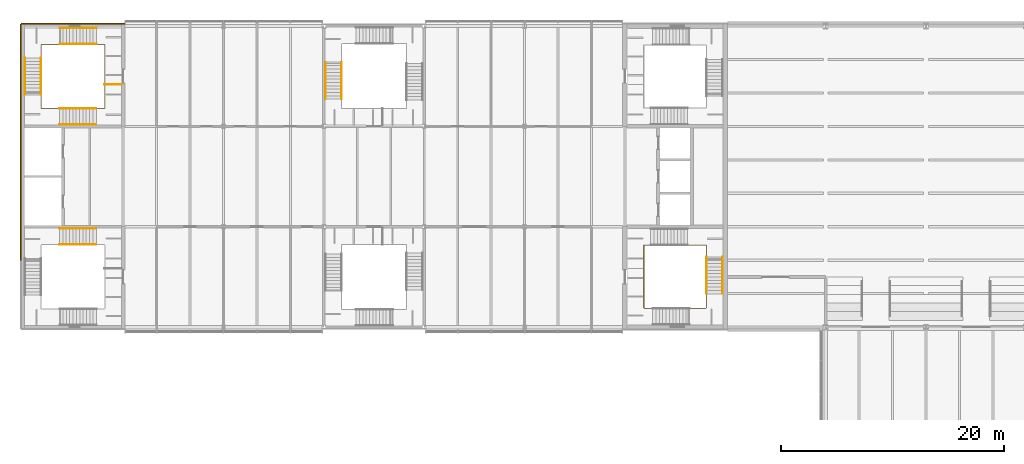
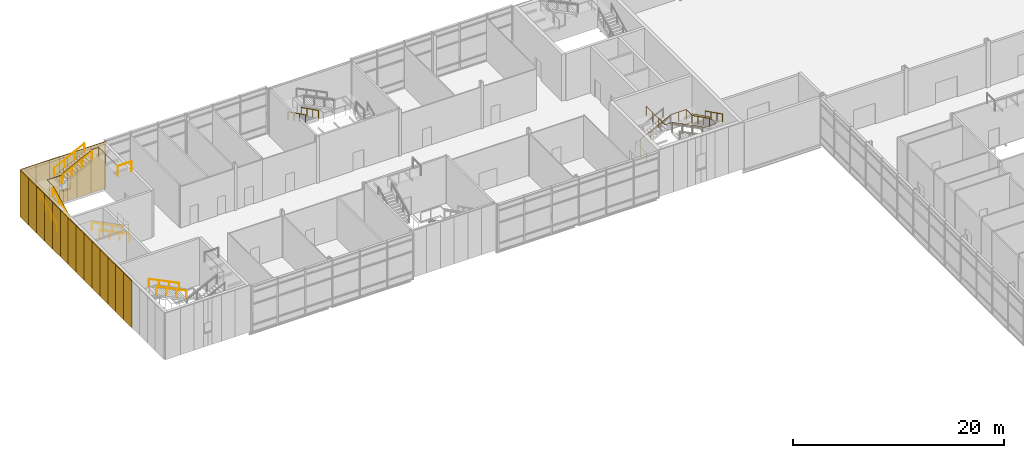
# One storey, part 47 of 52: 24 coverings, 15 railings.
"""IFC4 building model written with IfcOpenShell, lengths in metres."""

from ifc_helpers import new_model, si_unit, direction, frame, origin, origin_2d, place, context, subcontext, project, spatial, rectangle, circle, extrude, material, layer, layer_set, type_object, element, save


model = new_model("IFC4")

# Units and contexts
model_context = context("Model", 3, precision=1e-05, world=origin(), true_north=direction((0.0, 1.0)))
body_context = subcontext(model_context, "Body", "Model", "MODEL_VIEW")
ifc_project = project(units=[si_unit("LENGTHUNIT", "METRE"), si_unit("AREAUNIT", "SQUARE_METRE"), si_unit("VOLUMEUNIT", "CUBIC_METRE"), si_unit("PLANEANGLEUNIT", "RADIAN"), si_unit("MASSUNIT", "GRAM", prefix="KILO")], contexts=[model_context])

# Site, building, storey
site_placement = place(None, origin())
site = spatial("IfcSite", under=ifc_project, at=site_placement, CompositionType="ELEMENT")
building_placement = place(site_placement, origin())
building = spatial("IfcBuilding", under=site, at=building_placement, Name="Azimuth Sports and Learning Centre", CompositionType="ELEMENT")
storey_placement = place(building_placement, frame((0.0, 0.0, 16.199951171875)))
storey = spatial("IfcBuildingStorey", under=building, at=storey_placement, Name="L03", CompositionType="ELEMENT", Elevation=16.199951171875)

# Coverings
ifc_material_1 = material(Name="Cladding panel")
ifc_layer = layer(ifc_material_1, 0.10009765625)
ifc_layer_set = layer_set([ifc_layer], Name="Cladding panel")
covering_type = type_object("IfcCoveringType", Name="Cladding panel 100", PredefinedType="CLADDING", material=ifc_layer_set)
covering_1_placement = place(storey_placement, frame((8.324951171875, 117.199951171875, 0.0), z_axis=(0.0, 0.0, 1.0), x_axis=(-1.0, 0.0, 0.0)))
element("IfcCovering", 1, at=covering_1_placement, inside=storey, type_object=covering_type, Name="Cladding panel N-END W L03 1", PredefinedType="CLADDING", context=body_context, shape_type="SweptSolid", body=[
    extrude(rectangle(XDim=1.64990234375, YDim=0.10009765625, at=origin_2d()), origin(), (0.0, 0.0, 1.0), 5.39990234375),
])
covering_2_placement = place(storey_placement, frame((6.75, 117.199951171875, 0.0), z_axis=(0.0, 0.0, 1.0), x_axis=(-1.0, 0.0, 0.0)))
element("IfcCovering", 2, at=covering_2_placement, inside=storey, type_object=covering_type, Name="Cladding panel N-END W L03 2", PredefinedType="CLADDING", context=body_context, shape_type="SweptSolid", body=[
    extrude(rectangle(XDim=1.5, YDim=0.10009765625, at=origin_2d()), origin(), (0.0, 0.0, 1.0), 5.39990234375),
])
covering_3_placement = place(storey_placement, frame((5.47509765625, 117.199951171875, 0.0), z_axis=(0.0, 0.0, 1.0), x_axis=(-1.0, 0.0, 0.0)))
element("IfcCovering", 3, at=covering_3_placement, inside=storey, type_object=covering_type, Name="Cladding panel N-END W L03 3", PredefinedType="CLADDING", context=body_context, shape_type="SweptSolid", body=[
    extrude(rectangle(XDim=1.050048828125, YDim=0.10009765625, at=origin_2d()), origin(), (0.0, 0.0, 1.0), 5.39990234375),
])
covering_4_placement = place(storey_placement, frame((4.72509765625, 117.199951171875, 0.0), z_axis=(0.0, 0.0, 1.0), x_axis=(-1.0, 0.0, 0.0)))
element("IfcCovering", 4, at=covering_4_placement, inside=storey, type_object=covering_type, Name="Cladding panel N-END W L03 4", PredefinedType="CLADDING", context=body_context, shape_type="SweptSolid", body=[
    extrude(rectangle(XDim=0.449951171875, YDim=0.10009765625, at=origin_2d()), origin(), (0.0, 0.0, 1.0), 1.5),
])
covering_5_placement = place(storey_placement, frame((4.72509765625, 117.199951171875, 2.7001953125), z_axis=(0.0, 0.0, 1.0), x_axis=(-1.0, 0.0, 0.0)))
element("IfcCovering", 5, at=covering_5_placement, inside=storey, type_object=covering_type, Name="Cladding panel N-END W L03 5", PredefinedType="CLADDING", context=body_context, shape_type="SweptSolid", body=[
    extrude(rectangle(XDim=0.449951171875, YDim=0.10009765625, at=origin_2d()), origin(), (0.0, 0.0, 1.0), 2.699951171875),
])
covering_6_placement = place(storey_placement, frame((3.52490234375, 117.199951171875, 0.0), z_axis=(0.0, 0.0, 1.0), x_axis=(-1.0, 0.0, 0.0)))
element("IfcCovering", 6, at=covering_6_placement, inside=storey, type_object=covering_type, Name="Cladding panel N-END W L03 6", PredefinedType="CLADDING", context=body_context, shape_type="SweptSolid", body=[
    extrude(rectangle(XDim=1.050048828125, YDim=0.10009765625, at=origin_2d()), origin(), (0.0, 0.0, 1.0), 5.39990234375),
])
covering_7_placement = place(storey_placement, frame((4.27490234375, 117.199951171875, 0.0), z_axis=(0.0, 0.0, 1.0), x_axis=(-1.0, 0.0, 0.0)))
element("IfcCovering", 7, at=covering_7_placement, inside=storey, type_object=covering_type, Name="Cladding panel N-END W L03 7", PredefinedType="CLADDING", context=body_context, shape_type="SweptSolid", body=[
    extrude(rectangle(XDim=0.449951171875, YDim=0.10009765625, at=origin_2d()), origin(), (0.0, 0.0, 1.0), 1.5),
])
covering_8_placement = place(storey_placement, frame((4.27490234375, 117.199951171875, 2.7001953125), z_axis=(0.0, 0.0, 1.0), x_axis=(-1.0, 0.0, 0.0)))
element("IfcCovering", 8, at=covering_8_placement, inside=storey, type_object=covering_type, Name="Cladding panel N-END W L03 8", PredefinedType="CLADDING", context=body_context, shape_type="SweptSolid", body=[
    extrude(rectangle(XDim=0.449951171875, YDim=0.10009765625, at=origin_2d()), origin(), (0.0, 0.0, 1.0), 2.699951171875),
])
covering_9_placement = place(storey_placement, frame((2.25, 117.199951171875, 0.0), z_axis=(0.0, 0.0, 1.0), x_axis=(-1.0, 0.0, 0.0)))
element("IfcCovering", 9, at=covering_9_placement, inside=storey, type_object=covering_type, Name="Cladding panel N-END W L03 9", PredefinedType="CLADDING", context=body_context, shape_type="SweptSolid", body=[
    extrude(rectangle(XDim=1.5, YDim=0.10009765625, at=origin_2d()), origin(), (0.0, 0.0, 1.0), 5.39990234375),
])
for number, where, z_axis, x_axis, name in (
    (10, (0.675048828125, 117.199951171875, 0.0), (0.0, 0.0, 1.0), (-1.0, 0.0, 0.0), "Cladding panel N-END W L03 10"),
    (11, (-0.199951171875, 116.324951171875, 0.0), (0.0, 0.0, 1.0), (0.0, -1.0, 0.0), "Cladding panel W-END W L03 1"),
):
    element("IfcCovering", number, at=place(storey_placement, frame(where, z_axis=z_axis, x_axis=x_axis)), inside=storey, type_object=covering_type, Name=name, PredefinedType="CLADDING", context=body_context, shape_type="SweptSolid", body=[
        extrude(rectangle(XDim=1.64990234375, YDim=0.10009765625, at=origin_2d()), origin(), (0.0, 0.0, 1.0), 5.39990234375),
    ])
for number, where, z_axis, x_axis, name in (
    (12, (-0.199951171875, 114.75, 0.0), (0.0, 0.0, 1.0), (0.0, -1.0, 0.0), "Cladding panel W-END W L03 2"),
    (13, (-0.199951171875, 113.25, 0.0), (0.0, 0.0, 1.0), (0.0, -1.0, 0.0), "Cladding panel W-END W L03 3"),
    (14, (-0.199951171875, 111.75, 0.0), (0.0, 0.0, 1.0), (0.0, -1.0, 0.0), "Cladding panel W-END W L03 4"),
    (15, (-0.199951171875, 110.25, 0.0), (0.0, 0.0, 1.0), (0.0, -1.0, 0.0), "Cladding panel W-END W L03 5"),
    (16, (-0.199951171875, 108.75, 0.0), (0.0, 0.0, 1.0), (0.0, -1.0, 0.0), "Cladding panel W-END W L03 6"),
    (17, (-0.199951171875, 107.25, 0.0), (0.0, 0.0, 1.0), (0.0, -1.0, 0.0), "Cladding panel W-END W L03 7"),
    (18, (-0.199951171875, 105.75, 0.0), (0.0, 0.0, 1.0), (0.0, -1.0, 0.0), "Cladding panel W-END W L03 8"),
    (19, (-0.199951171875, 104.25, 0.0), (0.0, 0.0, 1.0), (0.0, -1.0, 0.0), "Cladding panel W-END W L03 9"),
    (20, (-0.199951171875, 102.75, 0.0), (0.0, 0.0, 1.0), (0.0, -1.0, 0.0), "Cladding panel W-END W L03 10"),
    (21, (-0.199951171875, 101.25, 0.0), (0.0, 0.0, 1.0), (0.0, -1.0, 0.0), "Cladding panel W-END W L03 11"),
    (22, (-0.199951171875, 99.75, 0.0), (0.0, 0.0, 1.0), (0.0, -1.0, 0.0), "Cladding panel W-END W L03 12"),
    (23, (-0.199951171875, 98.25, 0.0), (0.0, 0.0, 1.0), (0.0, -1.0, 0.0), "Cladding panel W-END W L03 13"),
    (24, (-0.199951171875, 96.75, 0.0), (0.0, 0.0, 1.0), (0.0, -1.0, 0.0), "Cladding panel W-END W L03 14"),
):
    element("IfcCovering", number, at=place(storey_placement, frame(where, z_axis=z_axis, x_axis=x_axis)), inside=storey, type_object=covering_type, Name=name, PredefinedType="CLADDING", context=body_context, shape_type="SweptSolid", body=[
        extrude(rectangle(XDim=1.5, YDim=0.10009765625, at=origin_2d()), origin(), (0.0, 0.0, 1.0), 5.39990234375),
    ])

# Railings
ifc_material_2 = material(Name="Stainless steel", Category="steel")
railing_type_1 = type_object("IfcRailingType", Name="Stair guard 1100", PredefinedType="GUARDRAIL", material=ifc_material_2)
railing_1_placement = place(storey_placement, frame((55.7099609375, 95.25, 0.0)))
element("IfcRailing", 25, at=railing_1_placement, inside=storey, type_object=railing_type_1, Name="Guard W1 L03 well", PredefinedType="GUARDRAIL", context=body_context, shape_type="SweptSolid", body=[
    extrude(circle(Radius=0.02392578125, at=origin_2d()), frame((0.0, 0.0, 1.076171875), z_axis=(0.0, 1.0, 0.0), x_axis=(-1.0, 0.0, 0.0)), (0.0, 0.0, 1.0), 2.090087890625),
    extrude(circle(Radius=0.02392578125, at=origin_2d()), frame((0.0, 2.090087890625, 1.076171875), z_axis=(1.0, 0.0, 0.0), x_axis=(0.0, 1.0, 0.0)), (0.0, 0.0, 1.0), 0.60009765625),
    extrude(circle(Radius=0.02392578125, at=origin_2d()), frame((0.60009765625, 2.090087890625, 1.076171875), z_axis=(0.0, 0.0, 1.0), x_axis=(1.0, 0.0, 0.0)), (0.0, 0.0, 1.0), 0.150146484375),
    extrude(circle(Radius=0.02392578125, at=origin_2d()), frame((0.60009765625, 2.090087890625, 1.22607421875), z_axis=(0.894440424912, 0.0, 0.447187126696), x_axis=(0.0, 1.0, 0.0)), (0.0, 0.0, 1.0), 3.689453125),
    extrude(circle(Radius=0.02392578125, at=origin_2d()), frame((3.900146484375, 2.090087890625, 2.8759765625), z_axis=(1.0, 0.0, 0.0), x_axis=(0.0, 1.0, 0.0)), (0.0, 0.0, 1.0), 1.679931640625),
    extrude(circle(Radius=0.02392578125, at=origin_2d()), frame((5.580078125, 2.090087890625, 2.8759765625), z_axis=(0.0, -1.0, 0.0), x_axis=(1.0, 0.0, 0.0)), (0.0, 0.0, 1.0), 1.050048828125),
    extrude(circle(Radius=0.02392578125, at=origin_2d()), frame((5.580078125, 1.0400390625, 2.8759765625), z_axis=(0.0, 0.0, 1.0), x_axis=(1.0, 0.0, 0.0)), (0.0, 0.0, 1.0), 0.14990234375),
    extrude(circle(Radius=0.02392578125, at=origin_2d()), frame((5.580078125, 1.0400390625, 3.02587890625), z_axis=(0.0, -0.894413956696, 0.447240063129), x_axis=(1.0, 0.0, 0.0)), (0.0, 0.0, 1.0), 3.689697265625),
    extrude(circle(Radius=0.02392578125, at=origin_2d()), frame((5.580078125, -2.260009765625, 4.67626953125), z_axis=(0.0, -1.0, 0.0), x_axis=(1.0, 0.0, 0.0)), (0.0, 0.0, 1.0), 1.280029296875),
    extrude(circle(Radius=0.02392578125, at=origin_2d()), frame((5.580078125, -3.5400390625, 4.67626953125), z_axis=(-1.0, 0.0, 0.0), x_axis=(0.0, -1.0, 0.0)), (0.0, 0.0, 1.0), 1.5),
    extrude(circle(Radius=0.02392578125, at=origin_2d()), frame((4.080078125, -3.5400390625, 4.67626953125), z_axis=(0.0, 0.0, 1.0), x_axis=(1.0, 0.0, 0.0)), (0.0, 0.0, 1.0), 0.14990234375),
    extrude(circle(Radius=0.02392578125, at=origin_2d()), frame((4.080078125, -3.5400390625, 4.826171875), z_axis=(-0.894413956696, 0.0, 0.447240063129), x_axis=(0.0, -1.0, 0.0)), (0.0, 0.0, 1.0), 3.689697265625),
    extrude(circle(Radius=0.02392578125, at=origin_2d()), frame((0.780029296875, -3.5400390625, 6.47607421875), z_axis=(-1.0, 0.0, 0.0), x_axis=(0.0, -1.0, 0.0)), (0.0, 0.0, 1.0), 0.780029296875),
    extrude(circle(Radius=0.02392578125, at=origin_2d()), frame((0.0, -3.5400390625, 6.47607421875), z_axis=(0.0, 1.0, 0.0), x_axis=(-1.0, 0.0, 0.0)), (0.0, 0.0, 1.0), 3.5400390625),
    extrude(circle(Radius=0.01611328125, at=origin_2d()), origin(), (0.0, 0.0, 1.0), 1.052001953125),
    extrude(circle(Radius=0.01611328125, at=origin_2d()), frame((0.0, 1.044921875, 0.0)), (0.0, 0.0, 1.0), 1.052001953125),
    extrude(circle(Radius=0.01611328125, at=origin_2d()), frame((0.0, 2.090087890625, 0.0)), (0.0, 0.0, 1.0), 1.052001953125),
    extrude(circle(Radius=0.01611328125, at=origin_2d()), frame((0.60009765625, 2.090087890625, 0.0)), (0.0, 0.0, 1.0), 1.052001953125),
    extrude(circle(Radius=0.01611328125, at=origin_2d()), frame((0.60009765625, 2.090087890625, 0.150146484375)), (0.0, 0.0, 1.0), 1.052001953125),
    extrude(circle(Radius=0.01611328125, at=origin_2d()), frame((1.7001953125, 2.090087890625, 0.7001953125)), (0.0, 0.0, 1.0), 1.052001953125),
    extrude(circle(Radius=0.01611328125, at=origin_2d()), frame((2.800048828125, 2.090087890625, 1.25)), (0.0, 0.0, 1.0), 1.052001953125),
    extrude(circle(Radius=0.01611328125, at=origin_2d()), frame((3.900146484375, 2.090087890625, 1.800048828125)), (0.0, 0.0, 1.0), 1.052001953125),
    extrude(circle(Radius=0.01611328125, at=origin_2d()), frame((4.740234375, 2.090087890625, 1.800048828125)), (0.0, 0.0, 1.0), 1.052001953125),
    extrude(circle(Radius=0.01611328125, at=origin_2d()), frame((5.580078125, 2.090087890625, 1.800048828125)), (0.0, 0.0, 1.0), 1.052001953125),
    extrude(circle(Radius=0.01611328125, at=origin_2d()), frame((5.580078125, 1.0400390625, 1.800048828125)), (0.0, 0.0, 1.0), 1.052001953125),
    extrude(circle(Radius=0.01611328125, at=origin_2d()), frame((5.580078125, 1.0400390625, 1.949951171875)), (0.0, 0.0, 1.0), 1.052001953125),
    extrude(circle(Radius=0.01611328125, at=origin_2d()), frame((5.580078125, -0.06005859375, 2.5)), (0.0, 0.0, 1.0), 1.052001953125),
    extrude(circle(Radius=0.01611328125, at=origin_2d()), frame((5.580078125, -1.159912109375, 3.050048828125)), (0.0, 0.0, 1.0), 1.052001953125),
    extrude(circle(Radius=0.01611328125, at=origin_2d()), frame((5.580078125, -2.260009765625, 3.60009765625)), (0.0, 0.0, 1.0), 1.052001953125),
    extrude(circle(Radius=0.01611328125, at=origin_2d()), frame((5.580078125, -3.5400390625, 3.60009765625)), (0.0, 0.0, 1.0), 1.052001953125),
    extrude(circle(Radius=0.01611328125, at=origin_2d()), frame((4.080078125, -3.5400390625, 3.60009765625)), (0.0, 0.0, 1.0), 1.052001953125),
    extrude(circle(Radius=0.01611328125, at=origin_2d()), frame((4.080078125, -3.5400390625, 3.75)), (0.0, 0.0, 1.0), 1.052001953125),
    extrude(circle(Radius=0.01611328125, at=origin_2d()), frame((2.97998046875, -3.5400390625, 4.300048828125)), (0.0, 0.0, 1.0), 1.052001953125),
    extrude(circle(Radius=0.01611328125, at=origin_2d()), frame((1.880126953125, -3.5400390625, 4.85009765625)), (0.0, 0.0, 1.0), 1.052001953125),
    extrude(circle(Radius=0.01611328125, at=origin_2d()), frame((0.780029296875, -3.5400390625, 5.400146484375)), (0.0, 0.0, 1.0), 1.052001953125),
    extrude(circle(Radius=0.01611328125, at=origin_2d()), frame((0.0, -3.5400390625, 5.400146484375)), (0.0, 0.0, 1.0), 1.052001953125),
    extrude(circle(Radius=0.01611328125, at=origin_2d()), frame((0.0, -2.360107421875, 5.400146484375)), (0.0, 0.0, 1.0), 1.052001953125),
    extrude(circle(Radius=0.01611328125, at=origin_2d()), frame((0.0, -1.179931640625, 5.400146484375)), (0.0, 0.0, 1.0), 1.052001953125),
    extrude(circle(Radius=0.01611328125, at=origin_2d()), frame((0.0, 0.0, 5.400146484375)), (0.0, 0.0, 1.0), 1.052001953125),
])
railing_2_placement = place(storey_placement, frame((7.340087890625, 111.75, 0.0)))
element("IfcRailing", 26, at=railing_2_placement, inside=storey, type_object=railing_type_1, Name="Guard WW2 L03 well", PredefinedType="GUARDRAIL", context=body_context, shape_type="SweptSolid", body=[
    extrude(circle(Radius=0.02392578125, at=origin_2d()), frame((0.0, 0.0, 1.076171875), z_axis=(0.0, -1.0, 0.0), x_axis=(1.0, 0.0, 0.0)), (0.0, 0.0, 1.0), 2.114990234375),
    extrude(circle(Radius=0.02392578125, at=origin_2d()), frame((0.0, -2.114990234375, 1.076171875), z_axis=(-1.0, 0.0, 0.0), x_axis=(0.0, -1.0, 0.0)), (0.0, 0.0, 1.0), 0.75),
    extrude(circle(Radius=0.02392578125, at=origin_2d()), frame((-0.75, -2.114990234375, 1.076171875), z_axis=(0.0, 0.0, 1.0), x_axis=(1.0, 0.0, 0.0)), (0.0, 0.0, 1.0), 0.150146484375),
    extrude(circle(Radius=0.02392578125, at=origin_2d()), frame((-0.75, -2.114990234375, 1.22607421875), z_axis=(-0.894440424912, 0.0, 0.447187126696), x_axis=(0.0, -1.0, 0.0)), (0.0, 0.0, 1.0), 3.689453125),
    extrude(circle(Radius=0.02392578125, at=origin_2d()), frame((-4.050048828125, -2.114990234375, 2.8759765625), z_axis=(-1.0, 0.0, 0.0), x_axis=(0.0, -1.0, 0.0)), (0.0, 0.0, 1.0), 1.630126953125),
    extrude(circle(Radius=0.02392578125, at=origin_2d()), frame((-5.68017578125, -2.114990234375, 2.8759765625), z_axis=(0.0, 1.0, 0.0), x_axis=(-1.0, 0.0, 0.0)), (0.0, 0.0, 1.0), 1.199951171875),
    extrude(circle(Radius=0.02392578125, at=origin_2d()), frame((-5.68017578125, -0.9150390625, 2.8759765625), z_axis=(0.0, 0.0, 1.0), x_axis=(1.0, 0.0, 0.0)), (0.0, 0.0, 1.0), 0.14990234375),
    extrude(circle(Radius=0.02392578125, at=origin_2d()), frame((-5.68017578125, -0.9150390625, 3.02587890625), z_axis=(0.0, 0.894413956696, 0.447240063129), x_axis=(-1.0, 0.0, 0.0)), (0.0, 0.0, 1.0), 3.689697265625),
    extrude(circle(Radius=0.02392578125, at=origin_2d()), frame((-5.68017578125, 2.385009765625, 4.67626953125), z_axis=(0.0, 1.0, 0.0), x_axis=(-1.0, 0.0, 0.0)), (0.0, 0.0, 1.0), 1.205078125),
    extrude(circle(Radius=0.02392578125, at=origin_2d()), frame((-5.68017578125, 3.590087890625, 4.67626953125), z_axis=(1.0, 0.0, 0.0), x_axis=(0.0, 1.0, 0.0)), (0.0, 0.0, 1.0), 1.650146484375),
    extrude(circle(Radius=0.02392578125, at=origin_2d()), frame((-4.030029296875, 3.590087890625, 4.67626953125), z_axis=(0.0, 0.0, 1.0), x_axis=(1.0, 0.0, 0.0)), (0.0, 0.0, 1.0), 0.14990234375),
    extrude(circle(Radius=0.02392578125, at=origin_2d()), frame((-4.030029296875, 3.590087890625, 4.826171875), z_axis=(0.894413956696, 0.0, 0.447240063129), x_axis=(0.0, 1.0, 0.0)), (0.0, 0.0, 1.0), 3.689697265625),
    extrude(circle(Radius=0.02392578125, at=origin_2d()), frame((-0.72998046875, 3.590087890625, 6.47607421875), z_axis=(1.0, 0.0, 0.0), x_axis=(0.0, 1.0, 0.0)), (0.0, 0.0, 1.0), 0.72998046875),
    extrude(circle(Radius=0.02392578125, at=origin_2d()), frame((0.0, 3.590087890625, 6.47607421875), z_axis=(0.0, -1.0, 0.0), x_axis=(1.0, 0.0, 0.0)), (0.0, 0.0, 1.0), 3.590087890625),
    extrude(circle(Radius=0.01611328125, at=origin_2d()), origin(), (0.0, 0.0, 1.0), 1.052001953125),
    extrude(circle(Radius=0.01611328125, at=origin_2d()), frame((0.0, -1.0576171875, 0.0)), (0.0, 0.0, 1.0), 1.052001953125),
    extrude(circle(Radius=0.01611328125, at=origin_2d()), frame((0.0, -2.114990234375, 0.0)), (0.0, 0.0, 1.0), 1.052001953125),
    extrude(circle(Radius=0.01611328125, at=origin_2d()), frame((-0.75, -2.114990234375, 0.0)), (0.0, 0.0, 1.0), 1.052001953125),
    extrude(circle(Radius=0.01611328125, at=origin_2d()), frame((-0.75, -2.114990234375, 0.150146484375)), (0.0, 0.0, 1.0), 1.052001953125),
    extrude(circle(Radius=0.01611328125, at=origin_2d()), frame((-1.85009765625, -2.114990234375, 0.7001953125)), (0.0, 0.0, 1.0), 1.052001953125),
    extrude(circle(Radius=0.01611328125, at=origin_2d()), frame((-2.949951171875, -2.114990234375, 1.25)), (0.0, 0.0, 1.0), 1.052001953125),
    extrude(circle(Radius=0.01611328125, at=origin_2d()), frame((-4.050048828125, -2.114990234375, 1.800048828125)), (0.0, 0.0, 1.0), 1.052001953125),
    extrude(circle(Radius=0.01611328125, at=origin_2d()), frame((-4.865234375, -2.114990234375, 1.800048828125)), (0.0, 0.0, 1.0), 1.052001953125),
    extrude(circle(Radius=0.01611328125, at=origin_2d()), frame((-5.68017578125, -2.114990234375, 1.800048828125)), (0.0, 0.0, 1.0), 1.052001953125),
    extrude(circle(Radius=0.01611328125, at=origin_2d()), frame((-5.68017578125, -0.9150390625, 1.800048828125)), (0.0, 0.0, 1.0), 1.052001953125),
    extrude(circle(Radius=0.01611328125, at=origin_2d()), frame((-5.68017578125, -0.9150390625, 1.949951171875)), (0.0, 0.0, 1.0), 1.052001953125),
    extrude(circle(Radius=0.01611328125, at=origin_2d()), frame((-5.68017578125, 0.18505859375, 2.5)), (0.0, 0.0, 1.0), 1.052001953125),
    extrude(circle(Radius=0.01611328125, at=origin_2d()), frame((-5.68017578125, 1.284912109375, 3.050048828125)), (0.0, 0.0, 1.0), 1.052001953125),
    extrude(circle(Radius=0.01611328125, at=origin_2d()), frame((-5.68017578125, 2.385009765625, 3.60009765625)), (0.0, 0.0, 1.0), 1.052001953125),
    extrude(circle(Radius=0.01611328125, at=origin_2d()), frame((-5.68017578125, 3.590087890625, 3.60009765625)), (0.0, 0.0, 1.0), 1.052001953125),
    extrude(circle(Radius=0.01611328125, at=origin_2d()), frame((-4.85498046875, 3.590087890625, 3.60009765625)), (0.0, 0.0, 1.0), 1.052001953125),
    extrude(circle(Radius=0.01611328125, at=origin_2d()), frame((-4.030029296875, 3.590087890625, 3.60009765625)), (0.0, 0.0, 1.0), 1.052001953125),
    extrude(circle(Radius=0.01611328125, at=origin_2d()), frame((-4.030029296875, 3.590087890625, 3.75)), (0.0, 0.0, 1.0), 1.052001953125),
    extrude(circle(Radius=0.01611328125, at=origin_2d()), frame((-2.929931640625, 3.590087890625, 4.300048828125)), (0.0, 0.0, 1.0), 1.052001953125),
    extrude(circle(Radius=0.01611328125, at=origin_2d()), frame((-1.830078125, 3.590087890625, 4.85009765625)), (0.0, 0.0, 1.0), 1.052001953125),
    extrude(circle(Radius=0.01611328125, at=origin_2d()), frame((-0.72998046875, 3.590087890625, 5.400146484375)), (0.0, 0.0, 1.0), 1.052001953125),
    extrude(circle(Radius=0.01611328125, at=origin_2d()), frame((0.0, 3.590087890625, 5.400146484375)), (0.0, 0.0, 1.0), 1.052001953125),
    extrude(circle(Radius=0.01611328125, at=origin_2d()), frame((0.0, 2.393310546875, 5.400146484375)), (0.0, 0.0, 1.0), 1.052001953125),
    extrude(circle(Radius=0.01611328125, at=origin_2d()), frame((0.0, 1.19677734375, 5.400146484375)), (0.0, 0.0, 1.0), 1.052001953125),
    extrude(circle(Radius=0.01611328125, at=origin_2d()), frame((0.0, 0.0, 5.400146484375)), (0.0, 0.0, 1.0), 1.052001953125),
])
railing_3_placement = place(storey_placement, frame((8.840087890625, 111.75, 5.400146484375)))
element("IfcRailing", 27, at=railing_3_placement, inside=storey, type_object=railing_type_1, Name="Guard WW2 L03 top landing end", PredefinedType="GUARDRAIL", context=body_context, shape_type="SweptSolid", body=[
    extrude(circle(Radius=0.02392578125, at=origin_2d()), frame((0.0, 0.0, 1.076171875), z_axis=(-1.0, 0.0, 0.0), x_axis=(0.0, -1.0, 0.0)), (0.0, 0.0, 1.0), 1.5),
    extrude(circle(Radius=0.01611328125, at=origin_2d()), origin(), (0.0, 0.0, 1.0), 1.052001953125),
    extrude(circle(Radius=0.01611328125, at=origin_2d()), frame((-1.5, 0.0, 0.0)), (0.0, 0.0, 1.0), 1.052001953125),
])
ifc_material_3 = material(Name="Stainless steel", Category="steel")
railing_type_2 = type_object("IfcRailingType", Name="Stair handrail 42", PredefinedType="HANDRAIL", material=ifc_material_3)
for number, where, name in (
    (28, (61.320068359375, 96.2900390625, 1.949951171875), "Handrail W1 L03 flight 2 inner"),
    (29, (62.760009765625, 96.2900390625, 1.949951171875), "Handrail W1 L03 flight 2 outer"),
):
    element("IfcRailing", number, at=place(storey_placement, frame(where)), inside=storey, type_object=railing_type_2, Name=name, PredefinedType="HANDRAIL", context=body_context, shape_type="SweptSolid", body=[
        extrude(circle(Radius=0.02099609375, at=origin_2d()), frame((0.0, 0.0, 0.87890625), z_axis=(0.0, -0.894413956696, 0.447240063129), x_axis=(1.0, 0.0, 0.0)), (0.0, 0.0, 1.0), 3.689697265625),
        extrude(circle(Radius=0.01611328125, at=origin_2d()), origin(), (0.0, 0.0, 1.0), 0.85791015625),
        extrude(circle(Radius=0.01611328125, at=origin_2d()), frame((0.0, -1.10009765625, 0.550048828125)), (0.0, 0.0, 1.0), 0.85791015625),
        extrude(circle(Radius=0.01611328125, at=origin_2d()), frame((0.0, -2.199951171875, 1.10009765625)), (0.0, 0.0, 1.0), 0.85791015625),
        extrude(circle(Radius=0.01611328125, at=origin_2d()), frame((0.0, -3.300048828125, 1.650146484375)), (0.0, 0.0, 1.0), 0.85791015625),
    ])
for number, where, name in (
    (30, (6.590087890625, 97.39501953125, 0.150146484375), "Handrail WW1 L03 flight 1 inner"),
    (31, (6.590087890625, 98.8349609375, 0.150146484375), "Handrail WW1 L03 flight 1 outer"),
    (32, (6.590087890625, 109.60498046875, 0.150146484375), "Handrail WW2 L03 flight 1 inner"),
    (33, (6.590087890625, 108.1650390625, 0.150146484375), "Handrail WW2 L03 flight 1 outer"),
):
    element("IfcRailing", number, at=place(storey_placement, frame(where)), inside=storey, type_object=railing_type_2, Name=name, PredefinedType="HANDRAIL", context=body_context, shape_type="SweptSolid", body=[
        extrude(circle(Radius=0.02099609375, at=origin_2d()), frame((0.0, 0.0, 0.87890625), z_axis=(-0.894440424912, 0.0, 0.447187126696), x_axis=(0.0, -1.0, 0.0)), (0.0, 0.0, 1.0), 3.689453125),
        extrude(circle(Radius=0.01611328125, at=origin_2d()), origin(), (0.0, 0.0, 1.0), 0.85791015625),
        extrude(circle(Radius=0.01611328125, at=origin_2d()), frame((-1.10009765625, 0.0, 0.550048828125)), (0.0, 0.0, 1.0), 0.85791015625),
        extrude(circle(Radius=0.01611328125, at=origin_2d()), frame((-2.199951171875, 0.0, 1.099853515625)), (0.0, 0.0, 1.0), 0.85791015625),
        extrude(circle(Radius=0.01611328125, at=origin_2d()), frame((-3.300048828125, 0.0, 1.64990234375)), (0.0, 0.0, 1.0), 0.85791015625),
    ])
for number, where, name in (
    (34, (1.6298828125, 110.8349609375, 1.949951171875), "Handrail WW2 L03 flight 2 inner"),
    (35, (0.18994140625, 110.8349609375, 1.949951171875), "Handrail WW2 L03 flight 2 outer"),
):
    element("IfcRailing", number, at=place(storey_placement, frame(where)), inside=storey, type_object=railing_type_2, Name=name, PredefinedType="HANDRAIL", context=body_context, shape_type="SweptSolid", body=[
        extrude(circle(Radius=0.02099609375, at=origin_2d()), frame((0.0, 0.0, 0.87890625), z_axis=(0.0, 0.894413956696, 0.447240063129), x_axis=(-1.0, 0.0, 0.0)), (0.0, 0.0, 1.0), 3.689697265625),
        extrude(circle(Radius=0.01611328125, at=origin_2d()), origin(), (0.0, 0.0, 1.0), 0.85791015625),
        extrude(circle(Radius=0.01611328125, at=origin_2d()), frame((0.0, 1.10009765625, 0.550048828125)), (0.0, 0.0, 1.0), 0.85791015625),
        extrude(circle(Radius=0.01611328125, at=origin_2d()), frame((0.0, 2.199951171875, 1.10009765625)), (0.0, 0.0, 1.0), 0.85791015625),
        extrude(circle(Radius=0.01611328125, at=origin_2d()), frame((0.0, 3.300048828125, 1.650146484375)), (0.0, 0.0, 1.0), 0.85791015625),
    ])
for number, where, name in (
    (36, (3.31005859375, 115.3701171875, 3.75), "Handrail WW2 L03 flight 3 inner"),
    (37, (3.31005859375, 116.81005859375, 3.75), "Handrail WW2 L03 flight 3 outer"),
):
    element("IfcRailing", number, at=place(storey_placement, frame(where)), inside=storey, type_object=railing_type_2, Name=name, PredefinedType="HANDRAIL", context=body_context, shape_type="SweptSolid", body=[
        extrude(circle(Radius=0.02099609375, at=origin_2d()), frame((0.0, 0.0, 0.87890625), z_axis=(0.894413956696, 0.0, 0.447240063129), x_axis=(0.0, 1.0, 0.0)), (0.0, 0.0, 1.0), 3.689697265625),
        extrude(circle(Radius=0.01611328125, at=origin_2d()), origin(), (0.0, 0.0, 1.0), 0.85791015625),
        extrude(circle(Radius=0.01611328125, at=origin_2d()), frame((1.10009765625, 0.0, 0.550048828125)), (0.0, 0.0, 1.0), 0.85791015625),
        extrude(circle(Radius=0.01611328125, at=origin_2d()), frame((2.199951171875, 0.0, 1.10009765625)), (0.0, 0.0, 1.0), 0.85791015625),
        extrude(circle(Radius=0.01611328125, at=origin_2d()), frame((3.300048828125, 0.0, 1.650146484375)), (0.0, 0.0, 1.0), 0.85791015625),
    ])
for number, where, name in (
    (38, (28.580078125, 113.739990234375, 3.75), "Handrail WM2 L03 flight 3 inner"),
    (39, (27.139892578125, 113.739990234375, 3.75), "Handrail WM2 L03 flight 3 outer"),
):
    element("IfcRailing", number, at=place(storey_placement, frame(where)), inside=storey, type_object=railing_type_2, Name=name, PredefinedType="HANDRAIL", context=body_context, shape_type="SweptSolid", body=[
        extrude(circle(Radius=0.02099609375, at=origin_2d()), frame((0.0, 0.0, 0.87890625), z_axis=(0.0, -0.894413956696, 0.447240063129), x_axis=(1.0, 0.0, 0.0)), (0.0, 0.0, 1.0), 3.689697265625),
        extrude(circle(Radius=0.01611328125, at=origin_2d()), origin(), (0.0, 0.0, 1.0), 0.85791015625),
        extrude(circle(Radius=0.01611328125, at=origin_2d()), frame((0.0, -1.10009765625, 0.550048828125)), (0.0, 0.0, 1.0), 0.85791015625),
        extrude(circle(Radius=0.01611328125, at=origin_2d()), frame((0.0, -2.199951171875, 1.10009765625)), (0.0, 0.0, 1.0), 0.85791015625),
        extrude(circle(Radius=0.01611328125, at=origin_2d()), frame((0.0, -3.300048828125, 1.650146484375)), (0.0, 0.0, 1.0), 0.85791015625),
    ])

save(model, "model.ifc")
